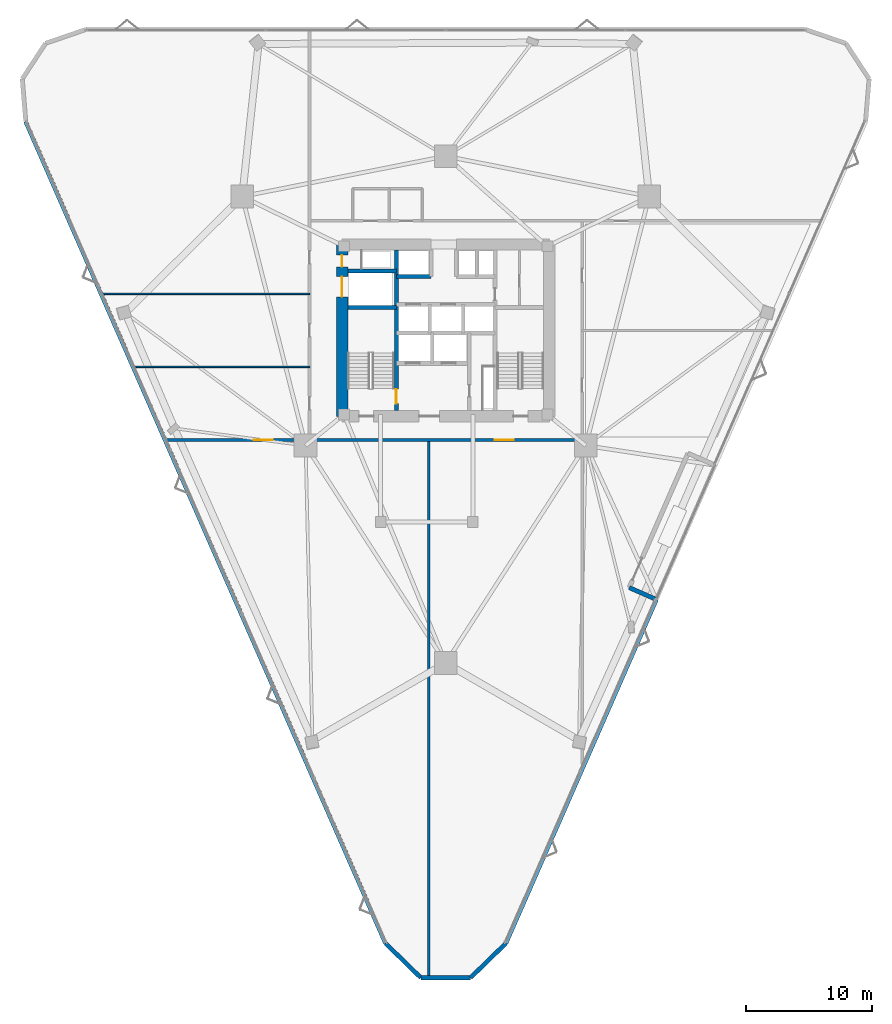
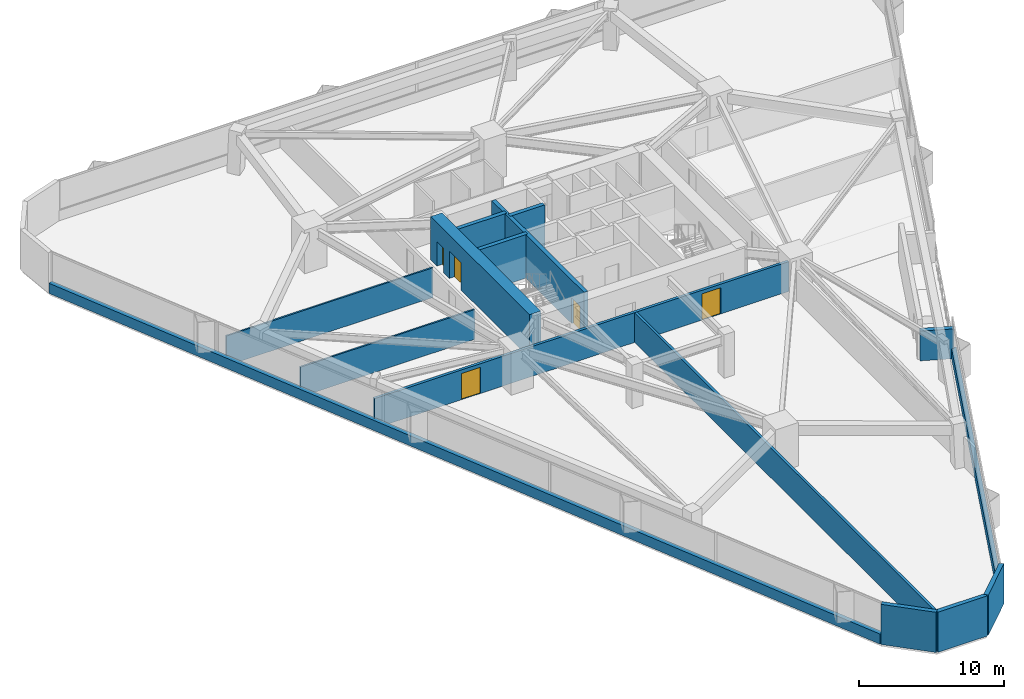
# One storey, part 12 of 16: 15 walls, 5 doors, 5 openings.
"""IFC4 building model written with IfcOpenShell, lengths in metres."""

from ifc_helpers import new_model, si_unit, direction, frame, frame_2d, origin, place, context, subcontext, project, spatial, rectangle, extrude, material, layer, layer_set, type_object, element, fill, save


model = new_model("IFC4")

# Units and contexts
model_context = context("Model", 3, precision=1e-05, world=origin(), true_north=direction((0.0, 1.0)))
body_context = subcontext(model_context, "Body", "Model", "MODEL_VIEW")
ifc_project = project(units=[si_unit("LENGTHUNIT", "METRE"), si_unit("AREAUNIT", "SQUARE_METRE"), si_unit("VOLUMEUNIT", "CUBIC_METRE"), si_unit("PLANEANGLEUNIT", "RADIAN"), si_unit("MASSUNIT", "GRAM", prefix="KILO")], contexts=[model_context])

# Site, building, storey
site_placement = place(None, origin())
site = spatial("IfcSite", under=ifc_project, at=site_placement, CompositionType="ELEMENT")
building_placement = place(site_placement, origin())
building = spatial("IfcBuilding", under=site, at=building_placement, Name="Talyreon Biosciences Tower", CompositionType="ELEMENT")
storey_placement = place(building_placement, frame((0.0, 0.0, 44.699951171875)))
storey = spatial("IfcBuildingStorey", under=building, at=storey_placement, Name="L11", CompositionType="ELEMENT", Elevation=44.699951171875)

# Wall
ifc_material_1 = material(Name="Gypsum fireboard acoustic stud", Category="gypsum")
ifc_layer_1 = layer(ifc_material_1, 0.199951171875)
ifc_layer_set_1 = layer_set([ifc_layer_1], Name="Gypsum fireboard acoustic stud")
wall_type_1 = type_object("IfcWallType", Name="ChemControlPartition_200", PredefinedType="PARTITIONING", material=ifc_layer_set_1)
wall_1_placement = place(storey_placement, frame((64.64990234375, 16.843505859375, 0.0), z_axis=(0.0, 0.0, 1.0), x_axis=(0.0, 1.0, 0.0)))
element("IfcWall", 1, at=wall_1_placement, inside=storey, type_object=wall_type_1, Name="L11 Interior Wall IW-L11-SDIV1", PredefinedType="PARTITIONING", context=body_context, shape_type="SweptSolid", body=[
    extrude(rectangle(XDim=42.486572265625, YDim=0.199951171875, at=frame_2d((21.2431640625, 0.0))), origin(), (0.0, 0.0, 1.0), 2.505126953125),
])

# Wall, opening, door
ifc_material_2 = material(Name="Concrete C50/60", Category="concrete")
ifc_layer_2 = layer(ifc_material_2, 0.320068359375)
ifc_layer_set_2 = layer_set([ifc_layer_2], Name="Concrete C50/60")
wall_type_2 = type_object("IfcWallType", Name="CoreShearWall_320", PredefinedType="SHEAR", material=ifc_layer_set_2)
wall_2_placement = place(storey_placement, frame((62.090087890625, 61.64990234375, 0.0), z_axis=(0.0, 0.0, 1.0), x_axis=(0.0, 1.0, 0.0)))
wall_2 = element("IfcWall", 2, at=wall_2_placement, inside=storey, type_object=wall_type_2, Name="L11 Core Shaft Wall SW1E", PredefinedType="SHEAR", context=body_context, shape_type="SweptSolid", body=[
    extrude(rectangle(XDim=12.7001953125, YDim=0.320068359375, at=frame_2d((6.35009765625, 0.0))), origin(), (0.0, 0.0, 1.0), 3.650146484375),
])
opening_1_placement = place(wall_2_placement, frame((0.550048828125, 0.0, 0.0)))
opening_1 = element("IfcOpeningElement", 3, at=opening_1_placement, cuts=wall_2, Name="Opening DR-L11-FF-ST1", PredefinedType="OPENING", context=body_context, shape_type="SweptSolid", body=[
    extrude(rectangle(XDim=1.14990234375, YDim=2.14990234375, at=frame_2d((0.574951171875, 1.074951171875))), frame((0.0, 0.169921875, 0.0), z_axis=(0.0, -1.0, 0.0), x_axis=(1.0, 0.0, 0.0)), (0.0, 0.0, 1.0), 0.340087890625),
])
ifc_material_3 = material(Name="Painted steel fire door", Category="steel")
door_type_1 = type_object("IfcDoorType", Name="StairShaftFireDoor_1150x2150", OperationType="NOTDEFINED", PredefinedType="DOOR", material=ifc_material_3)
door_1_placement = place(opening_1_placement, origin())
door_1 = element("IfcDoor", 4, at=door_1_placement, inside=storey, type_object=door_type_1, Name="L11 Core Door DR-L11-FF-ST1", OperationType="SINGLE_SWING_LEFT", OverallHeight=2.14990234375, OverallWidth=1.14990234375, PredefinedType="DOOR", context=body_context, shape_type="SweptSolid", body=[
    extrude(rectangle(XDim=1.14990234375, YDim=2.14990234375, at=frame_2d((0.574951171875, 1.074951171875))), frame((0.0, 0.02490234375, 0.0), z_axis=(0.0, -1.0, 0.0), x_axis=(1.0, 0.0, 0.0)), (0.0, 0.0, 1.0), 0.050048828125),
])
fill(opening_1, door_1)

# Walls
for number, where, z_axis, x_axis, name in (
    (5, (58.25, 69.81005859375, 0.0), (0.0, 0.0, 1.0), (1.0, 0.0, 0.0), "L11 Core Shaft Wall SW1N"),
    (6, (58.25, 72.699951171875, 0.0), (0.0, 0.0, 1.0), (1.0, 0.0, 0.0), "L11 Core Shaft Wall SWGLN"),
):
    element("IfcWall", number, at=place(storey_placement, frame(where, z_axis=z_axis, x_axis=x_axis)), inside=storey, type_object=wall_type_2, Name=name, PredefinedType="SHEAR", context=body_context, shape_type="SweptSolid", body=[
        extrude(rectangle(XDim=3.840087890625, YDim=0.320068359375, at=frame_2d((1.919921875, 0.0))), origin(), (0.0, 0.0, 1.0), 3.650146484375),
    ])
wall_3_placement = place(storey_placement, frame((62.090087890625, 72.25, 0.0), z_axis=(0.0, 0.0, 1.0), x_axis=(1.0, 0.0, 0.0)))
element("IfcWall", 7, at=wall_3_placement, inside=storey, type_object=wall_type_2, Name="L11 Core Shaft Wall SWNPW", PredefinedType="SHEAR", context=body_context, shape_type="SweptSolid", body=[
    extrude(rectangle(XDim=2.760009765625, YDim=0.320068359375, at=frame_2d((1.3798828125, 0.0))), origin(), (0.0, 0.0, 1.0), 3.650146484375),
])

# Wall, openings, doors
ifc_material_4 = material(Name="Concrete C60/75", Category="concrete")
ifc_layer_3 = layer(ifc_material_4, 0.89990234375)
ifc_layer_set_3 = layer_set([ifc_layer_3], Name="Concrete C60/75")
wall_type_3 = type_object("IfcWallType", Name="CoreShearWall_900", PredefinedType="SHEAR", material=ifc_layer_set_3)
wall_4_placement = place(storey_placement, frame((57.800048828125, 74.800048828125, 0.0), z_axis=(0.0, 0.0, 1.0), x_axis=(0.0, -1.0, 0.0)))
wall_4 = element("IfcWall", 8, at=wall_4_placement, inside=storey, type_object=wall_type_3, Name="L11 Core Shear Wall W", PredefinedType="SHEAR", context=body_context, shape_type="SweptSolid", body=[
    extrude(rectangle(XDim=13.60009765625, YDim=0.89990234375, at=frame_2d((6.800048828125, 0.0))), origin(), (0.0, 0.0, 1.0), 3.650146484375),
])
opening_2_placement = place(wall_4_placement, frame((0.85009765625, 0.0, 0.0)))
opening_2 = element("IfcOpeningElement", 9, at=opening_2_placement, cuts=wall_4, Name="Opening DR-L11-RSW", PredefinedType="OPENING", context=body_context, shape_type="SweptSolid", body=[
    extrude(rectangle(XDim=0.919921875, YDim=2.050048828125, at=frame_2d((0.4599609375, 1.02490234375))), frame((0.0, 0.4599609375, 0.0), z_axis=(0.0, -1.0, 0.0), x_axis=(1.0, 0.0, 0.0)), (0.0, 0.0, 1.0), 0.919921875),
])
opening_3_placement = place(wall_4_placement, frame((2.550048828125, 0.0, 0.0)))
opening_3 = element("IfcOpeningElement", 10, at=opening_3_placement, cuts=wall_4, Name="Opening LD-L11-GL1", PredefinedType="OPENING", context=body_context, shape_type="SweptSolid", body=[
    extrude(rectangle(XDim=1.60009765625, YDim=2.300048828125, at=frame_2d((0.800048828125, 1.14990234375))), frame((0.0, 0.4599609375, 0.0), z_axis=(0.0, -1.0, 0.0), x_axis=(1.0, 0.0, 0.0)), (0.0, 0.0, 1.0), 0.919921875),
])
ifc_material_5 = material(Name="Heavy-duty stainless-steel goods lift door", Category="steel")
door_type_2 = type_object("IfcDoorType", Name="GoodsLiftSlidingDoor_1600x2300", OperationType="DOUBLE_DOOR_SLIDING", PredefinedType="DOOR", material=ifc_material_5)
door_2_placement = place(opening_3_placement, origin())
door_2 = element("IfcDoor", 11, at=door_2_placement, inside=storey, type_object=door_type_2, Name="L11 Core Door LD-L11-GL1", OperationType="DOUBLE_DOOR_SLIDING", OverallHeight=2.300048828125, OverallWidth=1.60009765625, PredefinedType="DOOR", context=body_context, shape_type="SweptSolid", body=[
    extrude(rectangle(XDim=1.60009765625, YDim=2.300048828125, at=frame_2d((0.800048828125, 1.14990234375))), frame((0.0, 0.02490234375, 0.0), z_axis=(0.0, -1.0, 0.0), x_axis=(1.0, 0.0, 0.0)), (0.0, 0.0, 1.0), 0.050048828125),
])
fill(opening_3, door_2)
ifc_material_6 = material(Name="Painted steel fire-rated riser door", Category="steel")
door_type_3 = type_object("IfcDoorType", Name="RiserPlantAccessDoor_920x2050", OperationType="NOTDEFINED", PredefinedType="DOOR", material=ifc_material_6)
door_3_placement = place(opening_2_placement, origin())
door_3 = element("IfcDoor", 12, at=door_3_placement, inside=storey, type_object=door_type_3, Name="L11 Core Door DR-L11-RSW", OperationType="SINGLE_SWING_LEFT", OverallHeight=2.050048828125, OverallWidth=0.919921875, PredefinedType="DOOR", context=body_context, shape_type="SweptSolid", body=[
    extrude(rectangle(XDim=0.919921875, YDim=2.050048828125, at=frame_2d((0.4599609375, 1.02490234375))), frame((0.0, 0.02490234375, 0.0), z_axis=(0.0, -1.0, 0.0), x_axis=(1.0, 0.0, 0.0)), (0.0, 0.0, 1.0), 0.050048828125),
])
fill(opening_2, door_3)

ifc_layer_4 = layer(ifc_material_1, 0.219970703125)
ifc_layer_set_4 = layer_set([ifc_layer_4], Name="Gypsum fireboard acoustic stud")
wall_type_4 = type_object("IfcWallType", Name="CorridorRatedPartition_220", PredefinedType="PARTITIONING", material=ifc_layer_set_4)
wall_5_placement = place(storey_placement, frame((43.885009765625, 59.330078125, 0.0), z_axis=(0.0, 0.0, 1.0), x_axis=(1.0, 0.0, 0.0)))
wall_5 = element("IfcWall", 13, at=wall_5_placement, inside=storey, type_object=wall_type_4, Name="L11 Interior Wall IW-L11-COR-S", PredefinedType="PARTITIONING", context=body_context, shape_type="SweptSolid", body=[
    extrude(rectangle(XDim=32.9150390625, YDim=0.219970703125, at=frame_2d((16.45751953125, 0.0))), origin(), (0.0, 0.0, 1.0), 2.505126953125),
])
opening_4_placement = place(wall_5_placement, frame((6.9208984375, 0.0, 0.0)))
opening_4 = element("IfcOpeningElement", 14, at=opening_4_placement, cuts=wall_5, Name="Opening DR-L11-S1A", PredefinedType="OPENING", context=body_context, shape_type="SweptSolid", body=[
    extrude(rectangle(XDim=1.5, YDim=2.199951171875, at=frame_2d((0.75, 1.10009765625))), frame((0.0, 0.119873046875, 0.0), z_axis=(0.0, -1.0, 0.0), x_axis=(1.0, 0.0, 0.0)), (0.0, 0.0, 1.0), 0.239990234375),
])
opening_5_placement = place(wall_5_placement, frame((26.014892578125, 0.0, 0.0)))
opening_5 = element("IfcOpeningElement", 15, at=opening_5_placement, cuts=wall_5, Name="Opening DR-L11-S2A", PredefinedType="OPENING", context=body_context, shape_type="SweptSolid", body=[
    extrude(rectangle(XDim=1.5, YDim=2.199951171875, at=frame_2d((0.75, 1.10009765625))), frame((0.0, 0.119873046875, 0.0), z_axis=(0.0, -1.0, 0.0), x_axis=(1.0, 0.0, 0.0)), (0.0, 0.0, 1.0), 0.239990234375),
])
ifc_material_7 = material(Name="Vision-panel steel laboratory fire door", Category="steel")
door_type_4 = type_object("IfcDoorType", Name="WetLabDoubleLeafDoor_1500x2200", OperationType="DOUBLE_DOOR_SINGLE_SWING", PredefinedType="DOOR", material=ifc_material_7)
door_4_placement = place(opening_4_placement, origin())
door_4 = element("IfcDoor", 16, at=door_4_placement, inside=storey, type_object=door_type_4, Name="L11 Interior Door DR-L11-S1A", OperationType="DOUBLE_DOOR_SINGLE_SWING", OverallHeight=2.199951171875, OverallWidth=1.5, PredefinedType="DOOR", context=body_context, shape_type="SweptSolid", body=[
    extrude(rectangle(XDim=1.5, YDim=2.199951171875, at=frame_2d((0.75, 1.10009765625))), frame((0.0, 0.02490234375, 0.0), z_axis=(0.0, -1.0, 0.0), x_axis=(1.0, 0.0, 0.0)), (0.0, 0.0, 1.0), 0.050048828125),
])
fill(opening_4, door_4)
door_5_placement = place(opening_5_placement, origin())
door_5 = element("IfcDoor", 17, at=door_5_placement, inside=storey, type_object=door_type_4, Name="L11 Interior Door DR-L11-S2A", OperationType="DOUBLE_DOOR_SINGLE_SWING", OverallHeight=2.199951171875, OverallWidth=1.5, PredefinedType="DOOR", context=body_context, shape_type="SweptSolid", body=[
    extrude(rectangle(XDim=1.5, YDim=2.199951171875, at=frame_2d((0.75, 1.10009765625))), frame((0.0, 0.02490234375, 0.0), z_axis=(0.0, -1.0, 0.0), x_axis=(1.0, 0.0, 0.0)), (0.0, 0.0, 1.0), 0.050048828125),
])
fill(opening_5, door_5)

# Walls
ifc_material_8 = material(Name="Gypsum acoustic stud partition", Category="gypsum")
ifc_layer_5 = layer(ifc_material_8, 0.1298828125)
ifc_layer_set_5 = layer_set([ifc_layer_5], Name="Gypsum acoustic stud partition")
wall_type_5 = type_object("IfcWallType", Name="OfficeWriteupPartition_130", PredefinedType="PARTITIONING", material=ifc_layer_set_5)
wall_6_placement = place(storey_placement, frame((41.354248046875, 65.110107421875, 0.0), z_axis=(0.0, 0.0, 1.0), x_axis=(1.0, 0.0, 0.0)))
element("IfcWall", 18, at=wall_6_placement, inside=storey, type_object=wall_type_5, Name="L11 Interior Wall IW-L11-WDIV1", PredefinedType="PARTITIONING", context=body_context, shape_type="SweptSolid", body=[
    extrude(rectangle(XDim=13.875732421875, YDim=0.1298828125, at=frame_2d((6.93798828125, 0.0))), origin(), (0.0, 0.0, 1.0), 2.505126953125),
])
wall_7_placement = place(storey_placement, frame((38.8232421875, 70.889892578125, 0.0), z_axis=(0.0, 0.0, 1.0), x_axis=(1.0, 0.0, 0.0)))
element("IfcWall", 19, at=wall_7_placement, inside=storey, type_object=wall_type_5, Name="L11 Interior Wall IW-L11-WDIV2", PredefinedType="PARTITIONING", context=body_context, shape_type="SweptSolid", body=[
    extrude(rectangle(XDim=16.40673828125, YDim=0.1298828125, at=frame_2d((8.203369140625, 0.0))), origin(), (0.0, 0.0, 1.0), 2.505126953125),
])
ifc_material_9 = material(Name="Precast concrete C45/55", Category="concrete")
ifc_layer_6 = layer(ifc_material_9, 0.340087890625)
ifc_layer_set_6 = layer_set([ifc_layer_6], Name="Precast concrete C45/55")
wall_type_6 = type_object("IfcWallType", Name="PrecastConcreteSpandrelWall_340", PredefinedType="STANDARD", material=ifc_layer_set_6)
wall_8_placement = place(storey_placement, frame((80.524658203125, 47.64208984375, 0.0), z_axis=(0.0, 0.0, 1.0), x_axis=(0.916076250182, -0.401004119495, 0.0)))
element("IfcWall", 20, at=wall_8_placement, inside=storey, type_object=wall_type_6, Name="L11 Terrace Backing Concrete Wall 10", PredefinedType="STANDARD", context=body_context, shape_type="SweptSolid", body=[
    extrude(rectangle(XDim=2.35009765625, YDim=0.340087890625, at=frame_2d((1.175048828125, 0.0))), origin(), (0.0, 0.0, 1.0), 2.505126953125),
])
wall_9_placement = place(storey_placement, frame((82.677490234375, 46.69970703125, 0.0), z_axis=(0.0, 0.0, 1.0), x_axis=(-0.401096058092, -0.916035999393, 0.0)))
element("IfcWall", 21, at=wall_9_placement, inside=storey, type_object=wall_type_6, Name="L11 Expressed Concrete Sill Wall 11", PredefinedType="STANDARD", context=body_context, shape_type="SweptSolid", body=[
    extrude(rectangle(XDim=29.703857421875, YDim=0.340087890625, at=frame_2d((14.85205078125, 0.0))), origin(), (0.0, 0.0, 1.0), 0.85009765625),
])
wall_10_placement = place(storey_placement, frame((70.763427734375, 19.489990234375, 0.0), z_axis=(0.0, 0.0, 1.0), x_axis=(-0.716458886532, -0.697629316979, 0.0)))
element("IfcWall", 22, at=wall_10_placement, inside=storey, type_object=wall_type_6, Name="L11 Rounded-Corner Concrete Pier 12", PredefinedType="STANDARD", context=body_context, shape_type="SweptSolid", body=[
    extrude(rectangle(XDim=3.915771484375, YDim=0.340087890625, at=frame_2d((1.9580078125, 0.0))), origin(), (0.0, 0.0, 1.0), 3.375),
])
wall_11_placement = place(storey_placement, frame((67.9580078125, 16.75830078125, 0.0), z_axis=(0.0, 0.0, 1.0), x_axis=(-1.0, 0.0, 0.0)))
element("IfcWall", 23, at=wall_11_placement, inside=storey, type_object=wall_type_6, Name="L11 Rounded-Corner Concrete Pier 13", PredefinedType="STANDARD", context=body_context, shape_type="SweptSolid", body=[
    extrude(rectangle(XDim=3.916015625, YDim=0.340087890625, at=frame_2d((1.9580078125, 0.0))), origin(), (0.0, 0.0, 1.0), 3.375),
])
wall_12_placement = place(storey_placement, frame((64.0419921875, 16.75830078125, 0.0), z_axis=(0.0, 0.0, 1.0), x_axis=(-0.716458886532, 0.697629316979, 0.0)))
element("IfcWall", 24, at=wall_12_placement, inside=storey, type_object=wall_type_6, Name="L11 Rounded-Corner Concrete Pier 14", PredefinedType="STANDARD", context=body_context, shape_type="SweptSolid", body=[
    extrude(rectangle(XDim=3.915771484375, YDim=0.340087890625, at=frame_2d((1.9580078125, 0.0))), origin(), (0.0, 0.0, 1.0), 3.375),
])
wall_13_placement = place(storey_placement, frame((61.236572265625, 19.489990234375, 0.0), z_axis=(0.0, 0.0, 1.0), x_axis=(-0.401097303432, 0.916035454106, 0.0)))
element("IfcWall", 25, at=wall_13_placement, inside=storey, type_object=wall_type_6, Name="L11 Expressed Concrete Sill Wall 15", PredefinedType="STANDARD", context=body_context, shape_type="SweptSolid", body=[
    extrude(rectangle(XDim=71.007080078125, YDim=0.340087890625, at=frame_2d((35.50341796875, 0.0))), origin(), (0.0, 0.0, 1.0), 0.85009765625),
])

save(model, "model.ifc")
